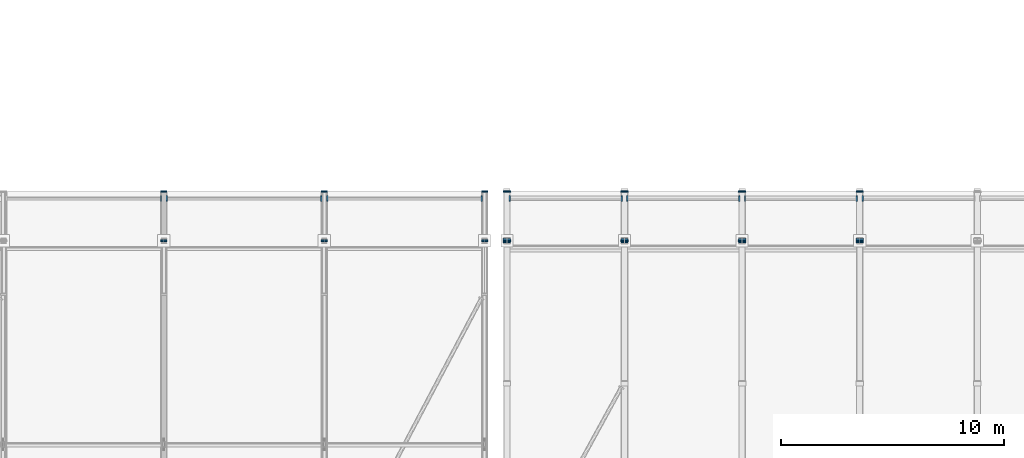
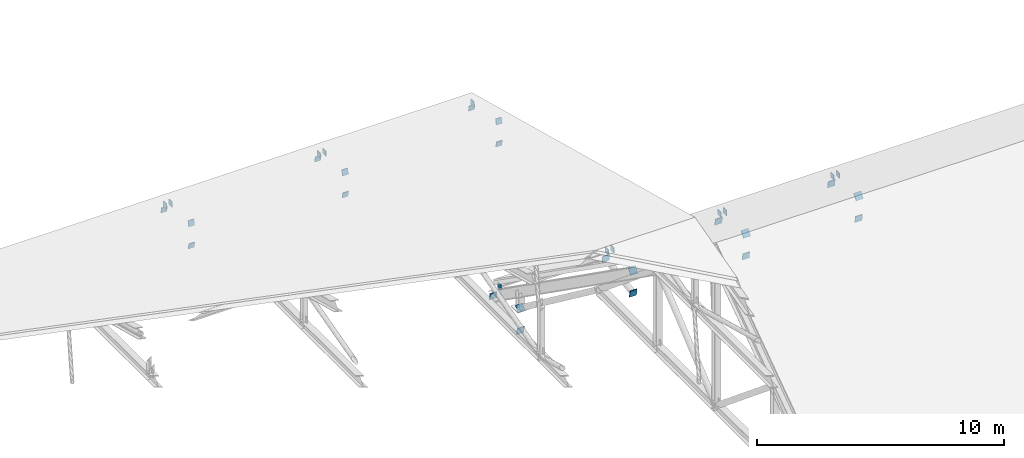
# One storey, part 51 of 57: 33 discrete accessories.
"""IFC4 building model written with IfcOpenShell, lengths in metres."""

from ifc_helpers import new_model, si_unit, direction, frame, origin, origin_2d, place, context, subcontext, project, spatial, rectangle, extrude, material, material_profile, profile_set, type_object, element, save


model = new_model("IFC4")

# Units and contexts
model_context = context("Model", 3, precision=1e-05, world=origin(), true_north=direction((0.0, 1.0)))
body_context = subcontext(model_context, "Body", "Model", "MODEL_VIEW")
ifc_project = project(units=[si_unit("LENGTHUNIT", "METRE"), si_unit("AREAUNIT", "SQUARE_METRE"), si_unit("VOLUMEUNIT", "CUBIC_METRE"), si_unit("PLANEANGLEUNIT", "RADIAN"), si_unit("MASSUNIT", "GRAM", prefix="KILO")], contexts=[model_context])

# Site, building, storey
site_placement = place(None, origin())
site = spatial("IfcSite", under=ifc_project, at=site_placement, CompositionType="ELEMENT")
building_placement = place(site_placement, origin())
building = spatial("IfcBuilding", under=site, at=building_placement, Name="Kelarvand Opera House", CompositionType="ELEMENT")
storey_placement = place(building_placement, frame((0.0, 0.0, 33.60009765625)))
storey = spatial("IfcBuildingStorey", under=building, at=storey_placement, Name="Roof", CompositionType="ELEMENT", Elevation=33.60009765625)

# Discrete accessories
ifc_material = material(Name="Steel S355", Category="steel")
ifc_material_profile_1 = material_profile(ifc_material, rectangle(XDim=0.260009765625, YDim=0.260009765625, at=origin_2d()), Name="Welded Steel Hollow End-Cap Plate 260x260x24", Category="steel")
ifc_profile_set_1 = profile_set([ifc_material_profile_1], Name="Steel S355")
discrete_accessory_type_1 = type_object("IfcDiscreteAccessoryType", Name="Welded Steel Hollow End-Cap Plate 260x260x24", PredefinedType="SHOE", material=ifc_profile_set_1)
for number, where, z_axis, x_axis, name in (
    (1, (89.14794921875, 80.300048828125, -9.721923828125), (-1.0, 0.0, 0.0), (0.0, -1.0, 0.0), "Hollow Section Welded End Cap 391"),
    (2, (94.132080078125, 80.300048828125, -9.721923828125), (1.0, 0.0, 0.0), (0.0, 1.0, 0.0), "Hollow Section Welded End Cap 392"),
    (3, (94.427978515625, 80.300048828125, -9.721923828125), (-1.0, 0.0, 0.0), (0.0, -1.0, 0.0), "Hollow Section Welded End Cap 399"),
    (4, (99.412109375, 80.300048828125, -9.721923828125), (1.0, 0.0, 0.0), (0.0, 1.0, 0.0), "Hollow Section Welded End Cap 400"),
    (5, (99.7080078125, 80.300048828125, -9.721923828125), (-1.0, 0.0, 0.0), (0.0, -1.0, 0.0), "Hollow Section Welded End Cap 403"),
):
    element("IfcDiscreteAccessory", number, at=place(storey_placement, frame(where, z_axis=z_axis, x_axis=x_axis)), inside=storey, type_object=discrete_accessory_type_1, Name=name, PredefinedType="SHOE", context=body_context, shape_type="SweptSolid", body=[
        extrude(rectangle(XDim=0.260009765625, YDim=0.260009765625, at=origin_2d()), origin(), (0.0, 0.0, 1.0), 0.035888671875),
    ])
for number, where, z_axis, x_axis, name in (
    (6, (104.69189453125, 80.300048828125, -9.721923828125), (1.0, 0.0, 0.0), (0.0, 1.0, 0.0), "Hollow Section Welded End Cap 404"),
    (7, (104.988037109375, 80.300048828125, -9.721923828125), (-1.0, 0.0, 0.0), (0.0, -1.0, 0.0), "Hollow Section Welded End Cap 407"),
    (8, (73.451904296875, 80.300048828125, -0.21923828125), (1.0, 0.0, 0.0), (0.0, 1.0, 0.0), "Hollow Section Welded End Cap 528"),
    (9, (73.748046875, 80.300048828125, -0.21923828125), (-1.0, 0.0, 0.0), (0.0, -1.0, 0.0), "Hollow Section Welded End Cap 531"),
):
    element("IfcDiscreteAccessory", number, at=place(storey_placement, frame(where, z_axis=z_axis, x_axis=x_axis)), inside=storey, type_object=discrete_accessory_type_1, Name=name, PredefinedType="SHOE", context=body_context, shape_type="SweptSolid", body=[
        extrude(rectangle(XDim=0.260009765625, YDim=0.260009765625, at=origin_2d()), origin(), (0.0, 0.0, 1.0), 0.0361328125),
    ])
for number, where, z_axis, x_axis, name in (
    (10, (80.652099609375, 80.300048828125, -0.21923828125), (1.0, 0.0, 0.0), (0.0, 1.0, 0.0), "Hollow Section Welded End Cap 532"),
    (11, (80.947998046875, 80.300048828125, -0.21923828125), (-1.0, 0.0, 0.0), (0.0, -1.0, 0.0), "Hollow Section Welded End Cap 535"),
    (12, (87.85205078125, 80.300048828125, -0.21923828125), (1.0, 0.0, 0.0), (0.0, 1.0, 0.0), "Hollow Section Welded End Cap 536"),
):
    element("IfcDiscreteAccessory", number, at=place(storey_placement, frame(where, z_axis=z_axis, x_axis=x_axis)), inside=storey, type_object=discrete_accessory_type_1, Name=name, PredefinedType="SHOE", context=body_context, shape_type="SweptSolid", body=[
        extrude(rectangle(XDim=0.260009765625, YDim=0.260009765625, at=origin_2d()), origin(), (0.0, 0.0, 1.0), 0.035888671875),
    ])
ifc_material_profile_2 = material_profile(ifc_material, rectangle(XDim=0.279052734375, YDim=0.279052734375, at=origin_2d()), Name="Welded Steel Hollow End-Cap Plate 279x279x24", Category="steel")
ifc_profile_set_2 = profile_set([ifc_material_profile_2], Name="Steel S355")
discrete_accessory_type_2 = type_object("IfcDiscreteAccessoryType", Name="Welded Steel Hollow End-Cap Plate 279x279x24", PredefinedType="SHOE", material=ifc_profile_set_2)
for number, where, z_axis, x_axis, name in (
    (13, (73.60009765625, 78.407958984375, -1.0986328125), (0.0, -0.981861262275, -0.189600795474), (1.0, 0.0, 0.0), "Hollow Section Welded End Cap 471"),
    (14, (73.60009765625, 80.592041015625, -0.677001953125), (0.0, 0.981861262275, 0.189600795474), (-1.0, 0.0, 0.0), "Hollow Section Welded End Cap 472"),
    (15, (73.60009765625, 78.39208984375, 0.001708984375), (0.0, 0.976502936242, -0.215504096274), (-1.0, 0.0, 0.0), "Hollow Section Welded End Cap 475"),
    (16, (80.800048828125, 78.407958984375, -1.0986328125), (0.0, -0.981861262275, -0.189600795474), (1.0, 0.0, 0.0), "Hollow Section Welded End Cap 487"),
    (17, (80.800048828125, 80.592041015625, -0.677001953125), (0.0, 0.981861262275, 0.189600795474), (-1.0, 0.0, 0.0), "Hollow Section Welded End Cap 488"),
    (18, (80.800048828125, 78.39208984375, 0.001708984375), (0.0, 0.976502936242, -0.215504096274), (-1.0, 0.0, 0.0), "Hollow Section Welded End Cap 491"),
    (19, (88.0, 78.407958984375, -1.0986328125), (0.0, -0.981861262275, -0.189600795474), (1.0, 0.0, 0.0), "Hollow Section Welded End Cap 503"),
    (20, (88.0, 80.592041015625, -0.677001953125), (0.0, 0.981861262275, 0.189600795474), (-1.0, 0.0, 0.0), "Hollow Section Welded End Cap 504"),
    (21, (88.0, 78.39208984375, 0.001708984375), (0.0, 0.976502936242, -0.215504096274), (-1.0, 0.0, 0.0), "Hollow Section Welded End Cap 507"),
):
    element("IfcDiscreteAccessory", number, at=place(storey_placement, frame(where, z_axis=z_axis, x_axis=x_axis)), inside=storey, type_object=discrete_accessory_type_2, Name=name, PredefinedType="SHOE", context=body_context, shape_type="SweptSolid", body=[
        extrude(rectangle(XDim=0.279052734375, YDim=0.279052734375, at=origin_2d()), origin(), (0.0, 0.0, 1.0), 0.0361328125),
    ])
ifc_material_profile_3 = material_profile(ifc_material, rectangle(XDim=0.3330078125, YDim=0.3330078125, at=origin_2d()), Name="Welded Steel Hollow End-Cap Plate 333x333x24", Category="steel")
ifc_profile_set_3 = profile_set([ifc_material_profile_3], Name="Steel S355")
discrete_accessory_type_3 = type_object("IfcDiscreteAccessoryType", Name="Welded Steel Hollow End-Cap Plate 333x333x24", PredefinedType="SHOE", material=ifc_profile_set_3)
for number, where, z_axis, x_axis, name in (
    (22, (89.0, 78.407958984375, -10.69873046875), (0.0, -0.986756818481, -0.162206600298), (1.0, 0.0, 0.0), "Hollow Section Welded End Cap 215"),
    (23, (89.0, 80.592041015625, -10.33349609375), (0.0, 0.986756818481, 0.162206600298), (-1.0, 0.0, 0.0), "Hollow Section Welded End Cap 216"),
    (24, (89.0, 78.3935546875, -9.59521484375), (0.0, 0.798373260242, -0.602162882725), (-1.0, 0.0, 0.0), "Hollow Section Welded End Cap 219"),
    (25, (94.280029296875, 78.407958984375, -10.69873046875), (0.0, -0.986756818481, -0.162206600298), (1.0, 0.0, 0.0), "Hollow Section Welded End Cap 231"),
    (26, (94.280029296875, 80.592041015625, -10.33349609375), (0.0, 0.986756818481, 0.162206600298), (-1.0, 0.0, 0.0), "Hollow Section Welded End Cap 232"),
    (27, (94.280029296875, 78.3935546875, -9.59521484375), (0.0, 0.798373260242, -0.602162882725), (-1.0, 0.0, 0.0), "Hollow Section Welded End Cap 235"),
    (28, (99.56005859375, 78.407958984375, -10.69873046875), (0.0, -0.986756818481, -0.162206600298), (1.0, 0.0, 0.0), "Hollow Section Welded End Cap 247"),
    (29, (99.56005859375, 80.592041015625, -10.33349609375), (0.0, 0.986756818481, 0.162206600298), (-1.0, 0.0, 0.0), "Hollow Section Welded End Cap 248"),
    (30, (99.56005859375, 78.3935546875, -9.59521484375), (0.0, 0.798373260242, -0.602162882725), (-1.0, 0.0, 0.0), "Hollow Section Welded End Cap 251"),
    (31, (104.840087890625, 78.407958984375, -10.69873046875), (0.0, -0.986756818481, -0.162206600298), (1.0, 0.0, 0.0), "Hollow Section Welded End Cap 263"),
    (32, (104.840087890625, 80.592041015625, -10.33349609375), (0.0, 0.986756818481, 0.162206600298), (-1.0, 0.0, 0.0), "Hollow Section Welded End Cap 264"),
    (33, (104.840087890625, 78.3935546875, -9.59521484375), (0.0, 0.798373260242, -0.602162882725), (-1.0, 0.0, 0.0), "Hollow Section Welded End Cap 267"),
):
    element("IfcDiscreteAccessory", number, at=place(storey_placement, frame(where, z_axis=z_axis, x_axis=x_axis)), inside=storey, type_object=discrete_accessory_type_3, Name=name, PredefinedType="SHOE", context=body_context, shape_type="SweptSolid", body=[
        extrude(rectangle(XDim=0.3330078125, YDim=0.3330078125, at=origin_2d()), origin(), (0.0, 0.0, 1.0), 0.0361328125),
    ])

save(model, "model.ifc")
